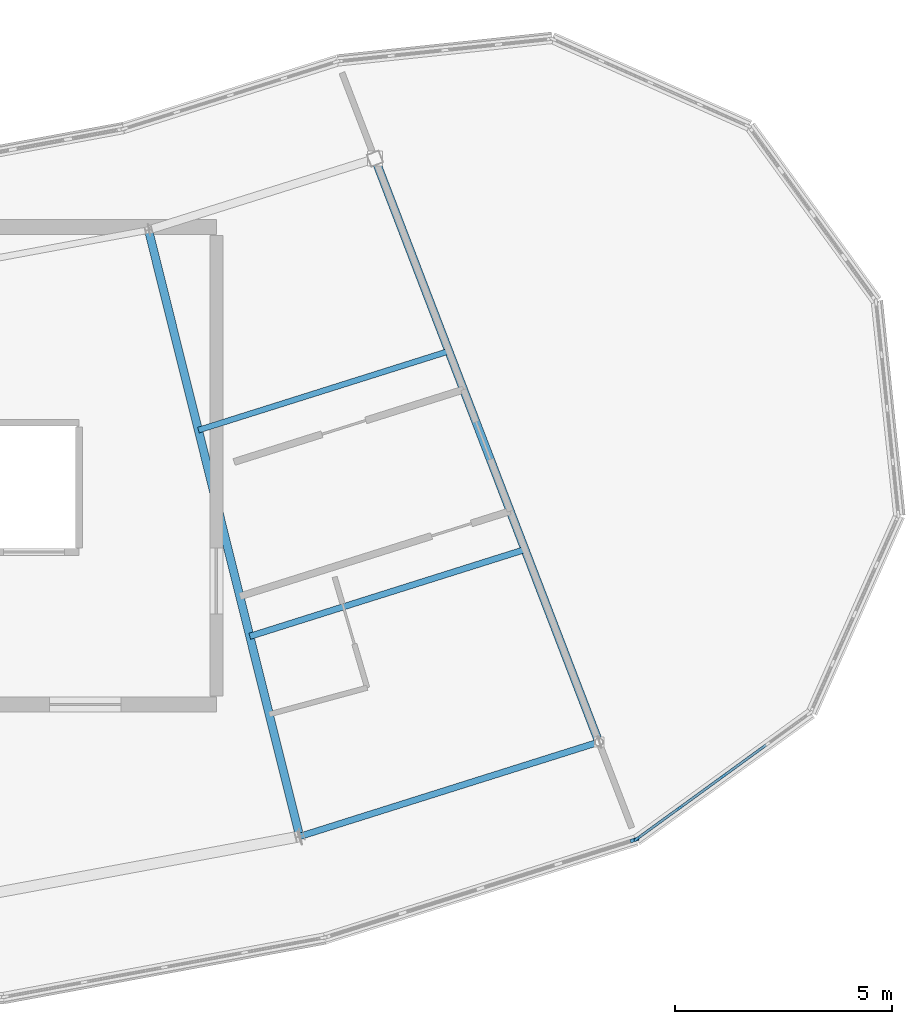
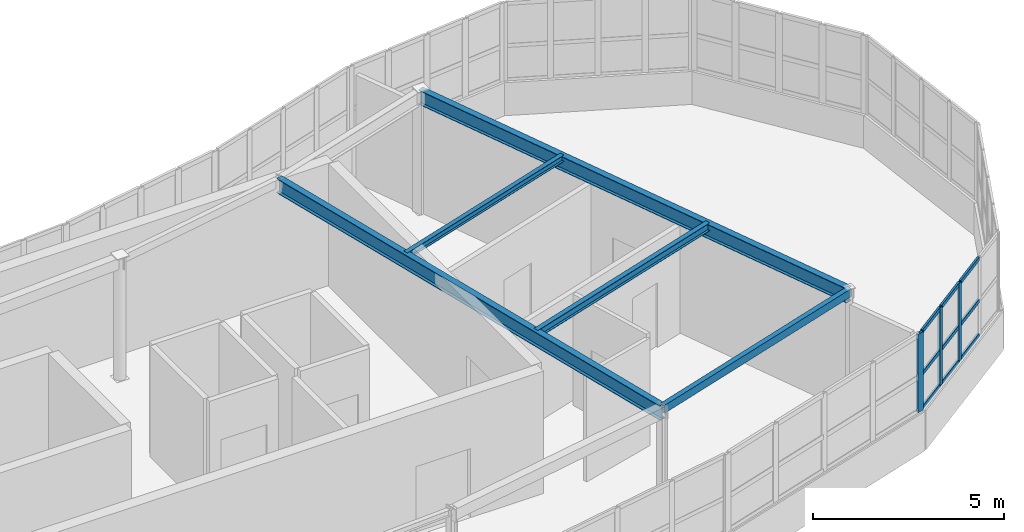
# One storey, part 20 of 60: 13 members, 5 beams, 2 elements without a shape of their own.
"""IFC4 building model written with IfcOpenShell, lengths in metres."""

from ifc_helpers import new_model, si_unit, direction, frame, origin, origin_2d, place, context, subcontext, project, spatial, rectangle, hollow_rectangle, i_section, extrude, material, layer, layer_set, material_profile, profile_set, type_object, element, aggregate, save


model = new_model("IFC4")

# Units and contexts
model_context = context("Model", 3, precision=1e-05, world=origin(), true_north=direction((0.0, 1.0)))
body_context = subcontext(model_context, "Body", "Model", "MODEL_VIEW")
ifc_project = project(units=[si_unit("LENGTHUNIT", "METRE"), si_unit("AREAUNIT", "SQUARE_METRE"), si_unit("VOLUMEUNIT", "CUBIC_METRE"), si_unit("PLANEANGLEUNIT", "RADIAN"), si_unit("MASSUNIT", "GRAM", prefix="KILO")], contexts=[model_context])

# Site, building, storey
site_placement = place(None, origin())
site = spatial("IfcSite", under=ifc_project, at=site_placement, CompositionType="ELEMENT")
building_placement = place(site_placement, origin())
building = spatial("IfcBuilding", under=site, at=building_placement, Name="Tarnwether General Hospital", CompositionType="ELEMENT")
storey_placement = place(building_placement, frame((0.0, 0.0, 26.10009765625)))
storey = spatial("IfcBuildingStorey", under=building, at=storey_placement, Name="L06", CompositionType="ELEMENT", Elevation=26.10009765625)

# Beams
ifc_material_1 = material(Name="Steel Grade 350 (350 MPa)", Category="steel")
ifc_material_profile_1 = material_profile(ifc_material_1, i_section(OverallWidth=0.19091796875, OverallDepth=0.4599609375, WebThickness=0.010009765625, FlangeThickness=0.01611328125, at=origin_2d()), Name="460UB82.1")
ifc_profile_set_1 = profile_set([ifc_material_profile_1], Name="Steel Grade 350 (350 MPa)")
beam_type_1 = type_object("IfcBeamType", Name="BM-G08", PredefinedType="BEAM", material=ifc_profile_set_1)
beam_1_placement = place(storey_placement, frame((106.322021484375, 5.55810546875, 3.669921875), z_axis=(-0.241941215118, 0.970290909175, 0.0), x_axis=(-0.970290909175, -0.241941215118, 0.0)))
element("IfcBeam", 1, at=beam_1_placement, inside=storey, type_object=beam_type_1, Name="Curved Ward SE Radial Girder BMG-L06-10632_556-10284_1953-2196", PredefinedType="BEAM", context=body_context, shape_type="SweptSolid", body=[
    extrude(i_section(OverallWidth=0.19091796875, OverallDepth=0.4599609375, WebThickness=0.010009765625, FlangeThickness=0.01611328125, at=origin_2d()), origin(), (0.0, 0.0, 1.0), 14.400634765625),
])
ifc_material_2 = material(Name="Steel Grade 350 (350 MPa)", Category="steel")
ifc_material_profile_2 = material_profile(ifc_material_2, i_section(OverallWidth=0.18994140625, OverallDepth=0.45703125, WebThickness=0.009033203125, FlangeThickness=0.014404296875, at=origin_2d()), Name="460UB74.6")
ifc_profile_set_2 = profile_set([ifc_material_profile_2], Name="Steel Grade 350 (350 MPa)")
beam_type_2 = type_object("IfcBeamType", Name="BM-G09", PredefinedType="BEAM", material=ifc_profile_set_2)
beam_2_placement = place(storey_placement, frame((113.215087890625, 7.73193359375, 3.67138671875), z_axis=(-0.358334838026, 0.933593136145, 0.0), x_axis=(-0.933593136145, -0.358334838026, 0.0)))
element("IfcBeam", 2, at=beam_2_placement, inside=storey, type_object=beam_type_2, Name="Curved Ward SE Radial Girder BMG-L06-11322_773-10806_2118-2197", PredefinedType="BEAM", context=body_context, shape_type="SweptSolid", body=[
    extrude(i_section(OverallWidth=0.18994140625, OverallDepth=0.45703125, WebThickness=0.009033203125, FlangeThickness=0.014404296875, at=origin_2d()), origin(), (0.0, 0.0, 1.0), 14.400390625),
])
ifc_material_3 = material(Name="Steel Grade 350 (350 MPa)", Category="steel")
ifc_material_profile_3 = material_profile(ifc_material_3, i_section(OverallWidth=0.14599609375, OverallDepth=0.256103515625, WebThickness=0.00634765625, FlangeThickness=0.010986328125, at=origin_2d()), Name="250UB37.3")
ifc_profile_set_3 = profile_set([ifc_material_profile_3], Name="Steel Grade 350 (350 MPa)")
beam_type_3 = type_object("IfcBeamType", Name="BM-J09", PredefinedType="JOIST", material=ifc_profile_set_3)
beam_3_placement = place(storey_placement, frame((105.172119140625, 10.1689453125, 3.77197265625), z_axis=(0.953671429399, 0.300850136693, 0.0), x_axis=(-0.300850136693, 0.953671429399, 0.0)))
element("IfcBeam", 3, at=beam_3_placement, inside=storey, type_object=beam_type_3, Name="Curved Ward SE Chord Joist BMG-L06-10517_1017-11151_1217-2218", PredefinedType="JOIST", context=body_context, shape_type="SweptSolid", body=[
    extrude(i_section(OverallWidth=0.14599609375, OverallDepth=0.256103515625, WebThickness=0.00634765625, FlangeThickness=0.010986328125, at=origin_2d()), origin(), (0.0, 0.0, 1.0), 6.64794921875),
])
ifc_material_4 = material(Name="Steel Grade 350 (350 MPa)", Category="steel")
ifc_material_profile_4 = material_profile(ifc_material_4, i_section(OverallWidth=0.134033203125, OverallDepth=0.20703125, WebThickness=0.00634765625, FlangeThickness=0.009521484375, at=origin_2d()), Name="200UB29.8")
ifc_profile_set_4 = profile_set([ifc_material_profile_4], Name="Steel Grade 350 (350 MPa)")
beam_type_4 = type_object("IfcBeamType", Name="BM-J12", PredefinedType="JOIST", material=ifc_profile_set_4)
beam_4_placement = place(storey_placement, frame((103.988037109375, 14.919921875, 3.79638671875), z_axis=(0.953725879816, 0.300677478654, 0.0), x_axis=(-0.300677478654, 0.953725879816, 0.0)))
element("IfcBeam", 4, at=beam_4_placement, inside=storey, type_object=beam_type_4, Name="Curved Ward SE Chord Joist BMG-L06-10399_1492-10976_1674-2219", PredefinedType="JOIST", context=body_context, shape_type="SweptSolid", body=[
    extrude(i_section(OverallWidth=0.134033203125, OverallDepth=0.20703125, WebThickness=0.00634765625, FlangeThickness=0.009521484375, at=origin_2d()), origin(), (0.0, 0.0, 1.0), 6.050048828125),
])
ifc_material_5 = material(Name="Steel Grade C350L0 (350 MPa)", Category="steel")
ifc_material_profile_5 = material_profile(ifc_material_5, hollow_rectangle(XDim=0.14990234375, YDim=0.25, WallThickness=0.008056640625, at=origin_2d()), Name="RHS250x150x8")
ifc_profile_set_5 = profile_set([ifc_material_profile_5], Name="Steel Grade C350L0 (350 MPa)")
beam_type_5 = type_object("IfcBeamType", Name="BM-SP8", PredefinedType="SPANDREL", material=ifc_profile_set_5)
beam_5_placement = place(storey_placement, frame((106.322021484375, 5.55810546875, 3.77490234375), z_axis=(0.953698988948, 0.300762761125, 0.0), x_axis=(-0.300762761125, 0.953698988948, 0.0)))
element("IfcBeam", 5, at=beam_5_placement, inside=storey, type_object=beam_type_5, Name="Curved Ward SE Outer Spandrel BMG-L06-10632_556-11322_773-2216", PredefinedType="SPANDREL", context=body_context, shape_type="SweptSolid", body=[
    extrude(hollow_rectangle(XDim=0.14990234375, YDim=0.25, WallThickness=0.008056640625, at=origin_2d()), origin(), (0.0, 0.0, 1.0), 7.227783203125),
])

# Curtain wall, members
ifc_material_6 = material(Name="Anodised aluminium", Category="aluminium")
ifc_layer_1 = layer(ifc_material_6, 0.159912109375)
ifc_layer_set_1 = layer_set([ifc_layer_1], Name="Anodised aluminium")
curtain_wall_type_1 = type_object("IfcCurtainWallType", Name="CW-03", PredefinedType="NOTDEFINED", material=ifc_layer_set_1)
curtain_wall_1_placement = place(storey_placement, origin())
curtain_wall_1 = element("IfcCurtainWall", 6, at=curtain_wall_1_placement, inside=storey, type_object=curtain_wall_type_1, Name="Curtain Wall CWG-L06-1181_84-0253", PredefinedType="NOTDEFINED")
ifc_material_7 = material(Name="Anodised aluminium", Category="aluminium")
ifc_material_profile_6 = material_profile(ifc_material_7, rectangle(XDim=0.06005859375, YDim=0.159912109375, at=origin_2d()), Name="ALU-MUL-60x160")
ifc_profile_set_6 = profile_set([ifc_material_profile_6], Name="Anodised aluminium")
member_type_1 = type_object("IfcMemberType", Name="CW-ML1", PredefinedType="MULLION", material=ifc_profile_set_6)
member_1_placement = place(storey_placement, frame((116.08544921875, 6.951416015625, 1.0498046875), z_axis=(0.0, 0.0, 1.0), x_axis=(0.587728951677, -0.809057896173, 0.0)))
member_1 = element("IfcMember", 7, at=member_1_placement, type_object=member_type_1, Name="CW-03 mullion 3", PredefinedType="MULLION", context=body_context, shape_type="SweptSolid", body=[
    extrude(rectangle(XDim=0.06005859375, YDim=0.159912109375, at=origin_2d()), origin(), (0.0, 0.0, 1.0), 2.4951171875),
])
member_2_placement = place(storey_placement, frame((115.080322265625, 6.22119140625, 1.0498046875), z_axis=(0.0, 0.0, 1.0), x_axis=(0.587728951677, -0.809057896173, 0.0)))
member_2 = element("IfcMember", 8, at=member_2_placement, type_object=member_type_1, Name="CW-03 mullion 4", PredefinedType="MULLION", context=body_context, shape_type="SweptSolid", body=[
    extrude(rectangle(XDim=0.06005859375, YDim=0.159912109375, at=origin_2d()), origin(), (0.0, 0.0, 1.0), 2.4951171875),
])
member_3_placement = place(storey_placement, frame((114.099365234375, 5.508544921875, 1.0498046875), z_axis=(0.0, 0.0, 1.0), x_axis=(0.587728951677, -0.809057896173, 0.0)))
member_3 = element("IfcMember", 9, at=member_3_placement, type_object=member_type_1, Name="CW-03 mullion 5", PredefinedType="MULLION", context=body_context, shape_type="SweptSolid", body=[
    extrude(rectangle(XDim=0.06005859375, YDim=0.159912109375, at=origin_2d()), origin(), (0.0, 0.0, 1.0), 2.4951171875),
])

# Curtain wall, member
ifc_material_8 = material(Name="Anodised aluminium", Category="aluminium")
ifc_layer_2 = layer(ifc_material_8, 0.179931640625)
ifc_layer_set_2 = layer_set([ifc_layer_2], Name="Anodised aluminium")
curtain_wall_type_2 = type_object("IfcCurtainWallType", Name="CW-11", PredefinedType="NOTDEFINED", material=ifc_layer_set_2)
curtain_wall_2_placement = place(storey_placement, origin())
curtain_wall_2 = element("IfcCurtainWall", 10, at=curtain_wall_2_placement, inside=storey, type_object=curtain_wall_type_2, Name="Curtain Wall CWG-L06-1141_55-0252", PredefinedType="NOTDEFINED")
ifc_material_9 = material(Name="Anodised aluminium", Category="aluminium")
ifc_material_profile_7 = material_profile(ifc_material_9, rectangle(XDim=0.080078125, YDim=0.199951171875, at=origin_2d()), Name="ALU-MUL-80x200")
ifc_profile_set_7 = profile_set([ifc_material_profile_7], Name="Anodised aluminium")
member_type_2 = type_object("IfcMemberType", Name="CW-ML4", PredefinedType="MULLION", material=ifc_profile_set_7)
member_4_placement = place(storey_placement, frame((114.036865234375, 5.47900390625, 1.0498046875), z_axis=(0.0, 0.0, 1.0), x_axis=(0.300628613299, -0.953741284032, 0.0)))
member_4 = element("IfcMember", 11, at=member_4_placement, type_object=member_type_2, Name="CW-11 mullion 1", PredefinedType="MULLION", context=body_context, shape_type="SweptSolid", body=[
    extrude(rectangle(XDim=0.080078125, YDim=0.199951171875, at=origin_2d()), origin(), (0.0, 0.0, 1.0), 2.4951171875),
])
aggregate(curtain_wall_2, [member_4])

# Member
ifc_material_10 = material(Name="Anodised aluminium", Category="aluminium")
ifc_material_profile_8 = material_profile(ifc_material_10, rectangle(XDim=0.06005859375, YDim=0.1201171875, at=origin_2d()), Name="ALU-TRN-60x120")
ifc_profile_set_8 = profile_set([ifc_material_profile_8], Name="Anodised aluminium")
member_type_3 = type_object("IfcMemberType", Name="CW-TR1", PredefinedType="USERDEFINED", material=ifc_profile_set_8)
member_5_placement = place(storey_placement, frame((117.06640625, 7.6640625, 1.079833984375), z_axis=(-0.809075282914, -0.587705016634, 0.0), x_axis=(0.587705016634, -0.809075282914, 0.0)))
member_5 = element("IfcMember", 12, at=member_5_placement, type_object=member_type_3, Name="CW-03 transom 2.1", ObjectType="TRANSOM", PredefinedType="USERDEFINED", context=body_context, shape_type="SweptSolid", body=[
    extrude(rectangle(XDim=0.06005859375, YDim=0.1201171875, at=origin_2d()), origin(), (0.0, 0.0, 1.0), 1.182373046875),
])

member_6_placement = place(storey_placement, frame((117.06640625, 7.6640625, 2.172607421875), z_axis=(-0.809075282914, -0.587705016634, 0.0), x_axis=(0.587705016634, -0.809075282914, 0.0)))
member_6 = element("IfcMember", 13, at=member_6_placement, type_object=member_type_3, Name="CW-03 transom 2.2", ObjectType="TRANSOM", PredefinedType="USERDEFINED", context=body_context, shape_type="SweptSolid", body=[
    extrude(rectangle(XDim=0.06005859375, YDim=0.1201171875, at=origin_2d()), origin(), (0.0, 0.0, 1.0), 1.182373046875),
])

member_7_placement = place(storey_placement, frame((117.06640625, 7.6640625, 3.514892578125), z_axis=(-0.809075282914, -0.587705016634, 0.0), x_axis=(0.587705016634, -0.809075282914, 0.0)))
member_7 = element("IfcMember", 14, at=member_7_placement, type_object=member_type_3, Name="CW-03 transom 2.3", ObjectType="TRANSOM", PredefinedType="USERDEFINED", context=body_context, shape_type="SweptSolid", body=[
    extrude(rectangle(XDim=0.06005859375, YDim=0.1201171875, at=origin_2d()), origin(), (0.0, 0.0, 1.0), 1.182373046875),
])

member_8_placement = place(storey_placement, frame((116.061279296875, 6.933837890625, 1.079833984375), z_axis=(-0.809048423805, -0.58774199096, 0.0), x_axis=(0.58774199096, -0.809048423805, 0.0)))
member_8 = element("IfcMember", 15, at=member_8_placement, type_object=member_type_3, Name="CW-03 transom 3.1", ObjectType="TRANSOM", PredefinedType="USERDEFINED", context=body_context, shape_type="SweptSolid", body=[
    extrude(rectangle(XDim=0.06005859375, YDim=0.1201171875, at=origin_2d()), origin(), (0.0, 0.0, 1.0), 1.1826171875),
])

member_9_placement = place(storey_placement, frame((116.061279296875, 6.933837890625, 2.172607421875), z_axis=(-0.809048423805, -0.58774199096, 0.0), x_axis=(0.58774199096, -0.809048423805, 0.0)))
member_9 = element("IfcMember", 16, at=member_9_placement, type_object=member_type_3, Name="CW-03 transom 3.2", ObjectType="TRANSOM", PredefinedType="USERDEFINED", context=body_context, shape_type="SweptSolid", body=[
    extrude(rectangle(XDim=0.06005859375, YDim=0.1201171875, at=origin_2d()), origin(), (0.0, 0.0, 1.0), 1.1826171875),
])

member_10_placement = place(storey_placement, frame((116.061279296875, 6.933837890625, 3.514892578125), z_axis=(-0.809048423805, -0.58774199096, 0.0), x_axis=(0.58774199096, -0.809048423805, 0.0)))
member_10 = element("IfcMember", 17, at=member_10_placement, type_object=member_type_3, Name="CW-03 transom 3.3", ObjectType="TRANSOM", PredefinedType="USERDEFINED", context=body_context, shape_type="SweptSolid", body=[
    extrude(rectangle(XDim=0.06005859375, YDim=0.1201171875, at=origin_2d()), origin(), (0.0, 0.0, 1.0), 1.1826171875),
])

member_11_placement = place(storey_placement, frame((115.055908203125, 6.20361328125, 1.079833984375), z_axis=(-0.809084076166, -0.587692911046, 0.0), x_axis=(0.587692911046, -0.809084076166, 0.0)))
member_11 = element("IfcMember", 18, at=member_11_placement, type_object=member_type_3, Name="CW-03 transom 4.1", ObjectType="TRANSOM", PredefinedType="USERDEFINED", context=body_context, shape_type="SweptSolid", body=[
    extrude(rectangle(XDim=0.06005859375, YDim=0.1201171875, at=origin_2d()), origin(), (0.0, 0.0, 1.0), 1.15234375),
])

member_12_placement = place(storey_placement, frame((115.055908203125, 6.20361328125, 2.172607421875), z_axis=(-0.809084076166, -0.587692911046, 0.0), x_axis=(0.587692911046, -0.809084076166, 0.0)))
member_12 = element("IfcMember", 19, at=member_12_placement, type_object=member_type_3, Name="CW-03 transom 4.2", ObjectType="TRANSOM", PredefinedType="USERDEFINED", context=body_context, shape_type="SweptSolid", body=[
    extrude(rectangle(XDim=0.06005859375, YDim=0.1201171875, at=origin_2d()), origin(), (0.0, 0.0, 1.0), 1.15234375),
])

member_13_placement = place(storey_placement, frame((115.055908203125, 6.20361328125, 3.514892578125), z_axis=(-0.809084076166, -0.587692911046, 0.0), x_axis=(0.587692911046, -0.809084076166, 0.0)))
member_13 = element("IfcMember", 20, at=member_13_placement, type_object=member_type_3, Name="CW-03 transom 4.3", ObjectType="TRANSOM", PredefinedType="USERDEFINED", context=body_context, shape_type="SweptSolid", body=[
    extrude(rectangle(XDim=0.06005859375, YDim=0.1201171875, at=origin_2d()), origin(), (0.0, 0.0, 1.0), 1.15234375),
])

aggregate(curtain_wall_1, [member_1, member_2, member_3, member_5, member_6, member_7, member_8, member_9, member_10, member_11, member_12, member_13])

save(model, "model.ifc")
